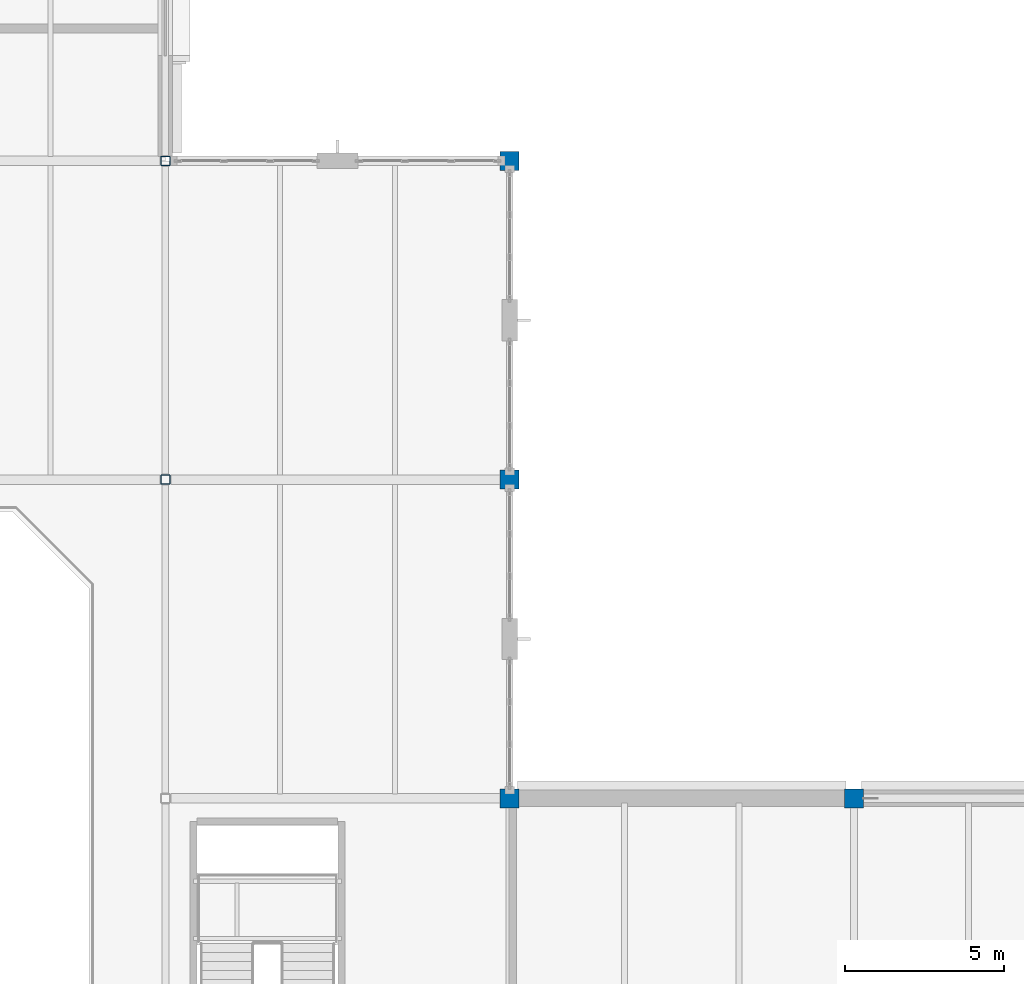
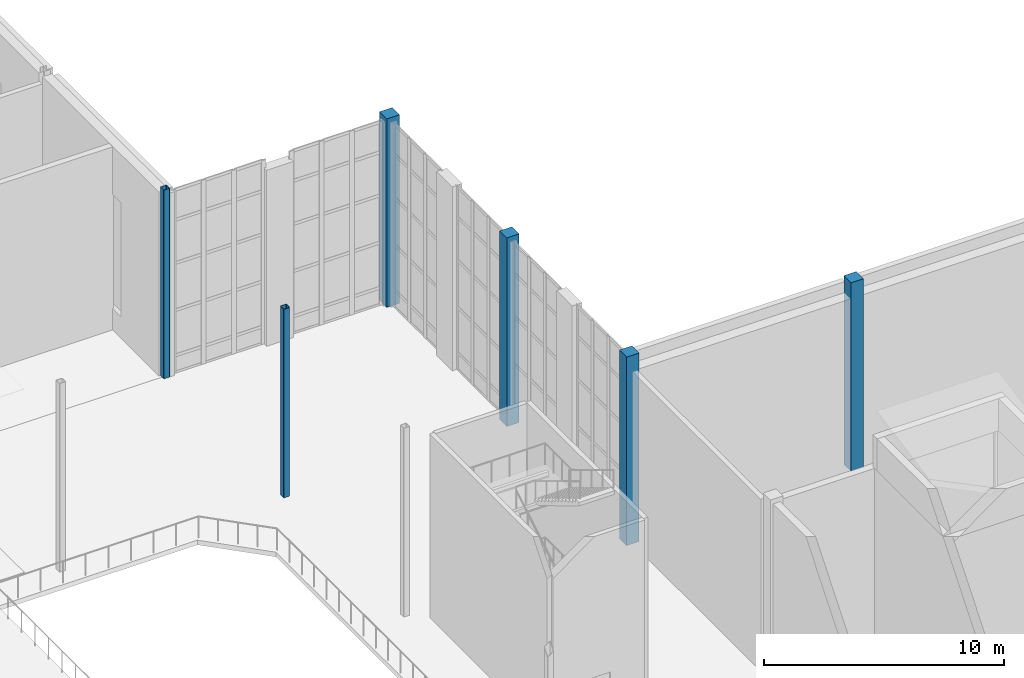
# One storey, part 7 of 100: 6 columns.
"""IFC4 building model written with IfcOpenShell, lengths in metres."""

from ifc_helpers import new_model, si_unit, direction, frame, origin, origin_2d, place, context, subcontext, project, spatial, rectangle, hollow_rectangle, extrude, material, material_profile, profile_set, type_object, element, save


model = new_model("IFC4")

# Units and contexts
model_context = context("Model", 3, precision=1e-05, world=origin(), true_north=direction((0.0, 1.0)))
body_context = subcontext(model_context, "Body", "Model", "MODEL_VIEW")
ifc_project = project(units=[si_unit("LENGTHUNIT", "METRE"), si_unit("AREAUNIT", "SQUARE_METRE"), si_unit("VOLUMEUNIT", "CUBIC_METRE"), si_unit("PLANEANGLEUNIT", "RADIAN"), si_unit("MASSUNIT", "GRAM", prefix="KILO")], contexts=[model_context])

# Site, building, storey
site_placement = place(None, origin())
site = spatial("IfcSite", under=ifc_project, at=site_placement, CompositionType="ELEMENT")
building_placement = place(site_placement, origin())
building = spatial("IfcBuilding", under=site, at=building_placement, Name="Tasgan Crest Museum", CompositionType="ELEMENT")
storey_placement = place(building_placement, frame((0.0, 0.0, 14.39990234375)))
storey = spatial("IfcBuildingStorey", under=building, at=storey_placement, Name="L03", CompositionType="ELEMENT", Elevation=14.39990234375)

# Columns
ifc_material_1 = material(Name="Concrete C40/50", Category="concrete")
ifc_material_profile_1 = material_profile(ifc_material_1, rectangle(XDim=0.60009765625, YDim=0.60009765625, at=origin_2d()), Name="RC 600x600")
ifc_profile_set_1 = profile_set([ifc_material_profile_1], Name="Concrete C40/50")
column_type_1 = type_object("IfcColumnType", Name="COL-RC600", PredefinedType="COLUMN", material=ifc_profile_set_1)
for number, where, z_axis, x_axis, name in (
    (1, (108.0, 62.0, 0.0), (0.0, 0.0, 1.0), (1.0, 0.0, 0.0), "Column 11/G L03"),
    (2, (108.0, 72.0, 0.0), (0.0, 0.0, 1.0), (1.0, 0.0, 0.0), "Column 11/H L03"),
    (3, (108.0, 82.0, 0.0), (0.0, 0.0, 1.0), (1.0, 0.0, 0.0), "Column 11/J L03"),
    (4, (118.800048828125, 62.0, 0.0), (0.0, 0.0, 1.0), (1.0, 0.0, 0.0), "Column 12/G L03"),
):
    element("IfcColumn", number, at=place(storey_placement, frame(where, z_axis=z_axis, x_axis=x_axis)), inside=storey, type_object=column_type_1, Name=name, PredefinedType="COLUMN", context=body_context, shape_type="SweptSolid", body=[
        extrude(rectangle(XDim=0.60009765625, YDim=0.60009765625, at=origin_2d()), origin(), (0.0, 0.0, 1.0), 9.60009765625),
    ])
ifc_material_2 = material(Name="Steel S355K2", Category="steel")
ifc_material_profile_2 = material_profile(ifc_material_2, hollow_rectangle(XDim=0.300048828125, YDim=0.300048828125, WallThickness=0.01611328125, InnerFilletRadius=0.01611328125, OuterFilletRadius=0.031982421875, at=origin_2d()), Name="SHS 300x300x16")
ifc_profile_set_2 = profile_set([ifc_material_profile_2], Name="Steel S355K2")
column_type_2 = type_object("IfcColumnType", Name="COL-SHS300", PredefinedType="COLUMN", material=ifc_profile_set_2)
for number, where, z_axis, x_axis, name in (
    (5, (97.199951171875, 72.0, 0.0), (0.0, 0.0, 1.0), (1.0, 0.0, 0.0), "Column 10/H L03"),
    (6, (97.199951171875, 82.0, 0.0), (0.0, 0.0, 1.0), (1.0, 0.0, 0.0), "Column 10/J L03"),
):
    element("IfcColumn", number, at=place(storey_placement, frame(where, z_axis=z_axis, x_axis=x_axis)), inside=storey, type_object=column_type_2, Name=name, PredefinedType="COLUMN", context=body_context, shape_type="SweptSolid", body=[
        extrude(hollow_rectangle(XDim=0.300048828125, YDim=0.300048828125, WallThickness=0.01611328125, InnerFilletRadius=0.01611328125, OuterFilletRadius=0.031982421875, at=origin_2d()), origin(), (0.0, 0.0, 1.0), 9.60009765625),
    ])

save(model, "model.ifc")
